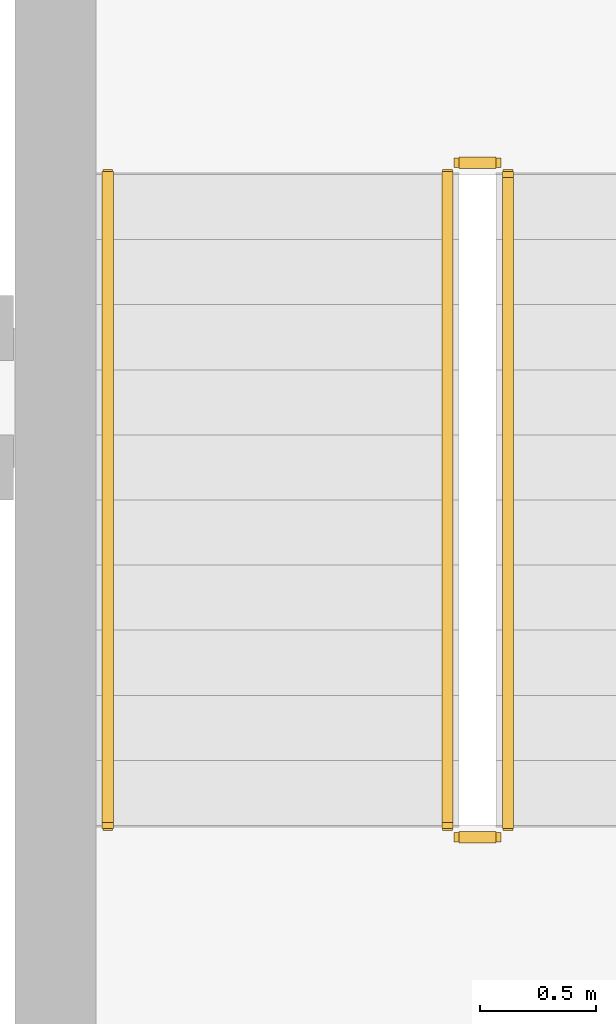
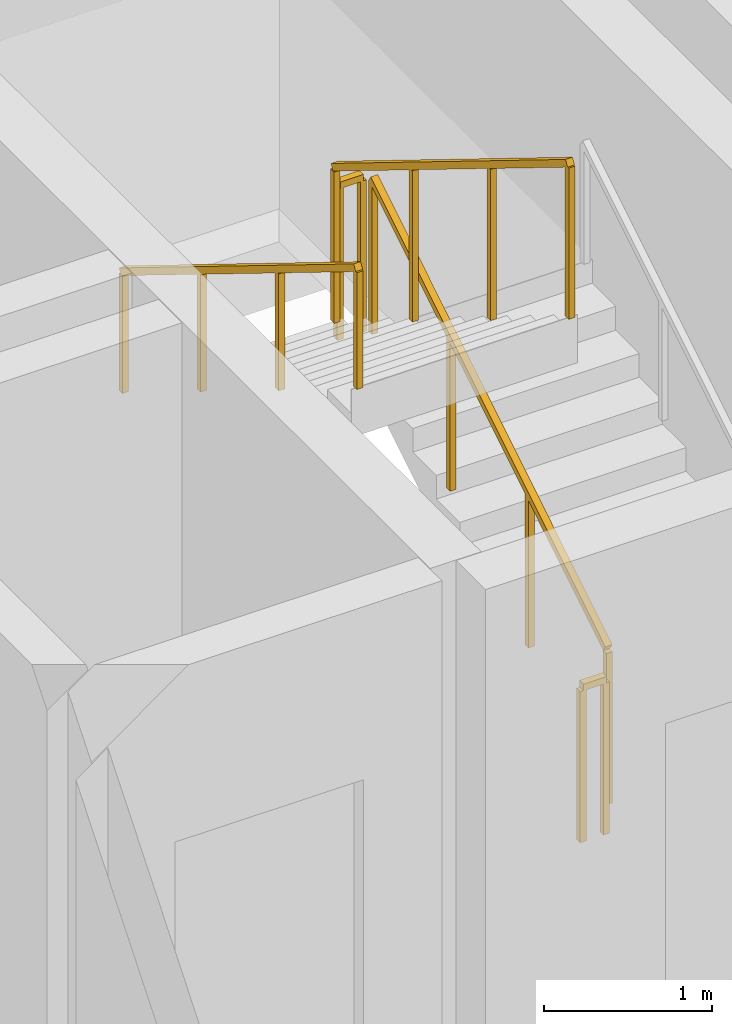
# One storey, part 13 of 14: 5 railings.
"""IFC4 building model written with IfcOpenShell, lengths in metres."""

from ifc_helpers import new_model, si_unit, direction, frame, origin, origin_2d, place, context, subcontext, project, spatial, rectangle, extrude, material, type_object, element, save


model = new_model("IFC4")

# Units and contexts
model_context = context("Model", 3, precision=1e-05, world=origin(), true_north=direction((0.0, 1.0)))
body_context = subcontext(model_context, "Body", "Model", "MODEL_VIEW")
ifc_project = project(units=[si_unit("LENGTHUNIT", "METRE"), si_unit("AREAUNIT", "SQUARE_METRE"), si_unit("VOLUMEUNIT", "CUBIC_METRE"), si_unit("PLANEANGLEUNIT", "RADIAN"), si_unit("MASSUNIT", "GRAM", prefix="KILO")], contexts=[model_context])

# Site, building, storey
site_placement = place(None, origin())
site = spatial("IfcSite", under=ifc_project, at=site_placement, CompositionType="ELEMENT")
building_placement = place(site_placement, origin())
building = spatial("IfcBuilding", under=site, at=building_placement, Name="Kaelvorn Grand Hotel", CompositionType="ELEMENT")
storey_placement = place(building_placement, frame((0.0, 0.0, 212.949951171875)))
storey = spatial("IfcBuildingStorey", under=building, at=storey_placement, Name="L52", CompositionType="ELEMENT", Elevation=212.949951171875)

# Railings
ifc_material = material(Name="Stainless Steel", Category="steel")
railing_type_1 = type_object("IfcRailingType", Name="RL-HANDRAIL-900", PredefinedType="HANDRAIL", material=ifc_material)
railing_1_placement = place(storey_placement, frame((63.3701171875, 44.56005859375, 2.07275390625)))
element("IfcRailing", 1, at=railing_1_placement, inside=storey, type_object=railing_type_1, Name="L52 ST3 stair handrail 2", PredefinedType="HANDRAIL", context=body_context, shape_type="SweptSolid", body=[
    extrude(rectangle(XDim=0.048095703125, YDim=0.048095703125, at=origin_2d()), frame((0.0, 0.0, 0.8759765625), z_axis=(0.0, -0.851089632645, 0.525020415988), x_axis=(1.0, 0.0, 0.0)), (0.0, 0.0, 1.0), 3.2900390625),
    extrude(rectangle(XDim=0.0419921875, YDim=0.0419921875, at=origin_2d()), origin(), (0.0, 0.0, 1.0), 0.851806640625),
    extrude(rectangle(XDim=0.0419921875, YDim=0.0419921875, at=origin_2d()), frame((0.0, -0.933349609375, 0.57568359375)), (0.0, 0.0, 1.0), 0.851806640625),
    extrude(rectangle(XDim=0.0419921875, YDim=0.0419921875, at=origin_2d()), frame((0.0, -1.86669921875, 1.151611328125)), (0.0, 0.0, 1.0), 0.851806640625),
    extrude(rectangle(XDim=0.0419921875, YDim=0.0419921875, at=origin_2d()), frame((0.0, -2.800048828125, 1.727294921875)), (0.0, 0.0, 1.0), 0.851806640625),
])
railing_type_2 = type_object("IfcRailingType", Name="RL-STAIR-GUARD-1150", PredefinedType="BALUSTRADE", material=ifc_material)
railing_2_placement = place(storey_placement, frame((65.090087890625, 41.760009765625, 0.1728515625)))
element("IfcRailing", 2, at=railing_2_placement, inside=storey, type_object=railing_type_2, Name="L52 ST3 stair guard 1", PredefinedType="BALUSTRADE", context=body_context, shape_type="SweptSolid", body=[
    extrude(rectangle(XDim=0.048095703125, YDim=0.048095703125, at=origin_2d()), frame((0.0, 0.0, 1.1259765625), z_axis=(0.0, 0.851089632645, 0.525020415988), x_axis=(-1.0, 0.0, 0.0)), (0.0, 0.0, 1.0), 3.2900390625),
    extrude(rectangle(XDim=0.0419921875, YDim=0.0419921875, at=origin_2d()), origin(), (0.0, 0.0, 1.0), 1.101806640625),
    extrude(rectangle(XDim=0.0419921875, YDim=0.0419921875, at=origin_2d()), frame((0.0, 0.933349609375, 0.57568359375)), (0.0, 0.0, 1.0), 1.101806640625),
    extrude(rectangle(XDim=0.0419921875, YDim=0.0419921875, at=origin_2d()), frame((0.0, 1.86669921875, 1.151611328125)), (0.0, 0.0, 1.0), 1.101806640625),
    extrude(rectangle(XDim=0.0419921875, YDim=0.0419921875, at=origin_2d()), frame((0.0, 2.800048828125, 1.727294921875)), (0.0, 0.0, 1.0), 1.101806640625),
])
railing_3_placement = place(storey_placement, frame((65.0400390625, 44.610107421875, 1.900146484375)))
element("IfcRailing", 3, at=railing_3_placement, inside=storey, type_object=railing_type_2, Name="L52 ST3 stair guard 2", PredefinedType="BALUSTRADE", context=body_context, shape_type="SweptSolid", body=[
    extrude(rectangle(XDim=0.048095703125, YDim=0.048095703125, at=origin_2d()), frame((0.0, 0.0, 1.1259765625), z_axis=(-1.0, 0.0, 0.0), x_axis=(0.0, -1.0, 0.0)), (0.0, 0.0, 1.0), 0.16015625),
    extrude(rectangle(XDim=0.0419921875, YDim=0.0419921875, at=origin_2d()), origin(), (0.0, 0.0, 1.0), 1.101806640625),
    extrude(rectangle(XDim=0.0419921875, YDim=0.0419921875, at=origin_2d()), frame((-0.16015625, 0.0, 0.0)), (0.0, 0.0, 1.0), 1.101806640625),
])
railing_4_placement = place(storey_placement, frame((64.830078125, 44.56005859375, 2.07275390625)))
element("IfcRailing", 4, at=railing_4_placement, inside=storey, type_object=railing_type_2, Name="L52 ST3 stair guard 3", PredefinedType="BALUSTRADE", context=body_context, shape_type="SweptSolid", body=[
    extrude(rectangle(XDim=0.048095703125, YDim=0.048095703125, at=origin_2d()), frame((0.0, 0.0, 1.1259765625), z_axis=(0.0, -0.851089632645, 0.525020415988), x_axis=(1.0, 0.0, 0.0)), (0.0, 0.0, 1.0), 3.2900390625),
    extrude(rectangle(XDim=0.0419921875, YDim=0.0419921875, at=origin_2d()), origin(), (0.0, 0.0, 1.0), 1.101806640625),
    extrude(rectangle(XDim=0.0419921875, YDim=0.0419921875, at=origin_2d()), frame((0.0, -0.933349609375, 0.57568359375)), (0.0, 0.0, 1.0), 1.101806640625),
    extrude(rectangle(XDim=0.0419921875, YDim=0.0419921875, at=origin_2d()), frame((0.0, -1.86669921875, 1.151611328125)), (0.0, 0.0, 1.0), 1.101806640625),
    extrude(rectangle(XDim=0.0419921875, YDim=0.0419921875, at=origin_2d()), frame((0.0, -2.800048828125, 1.727294921875)), (0.0, 0.0, 1.0), 1.101806640625),
])
railing_5_placement = place(storey_placement, frame((65.0400390625, 41.7099609375, 0.0)))
element("IfcRailing", 5, at=railing_5_placement, inside=storey, type_object=railing_type_2, Name="L52 ST3 stair guard 4", PredefinedType="BALUSTRADE", context=body_context, shape_type="SweptSolid", body=[
    extrude(rectangle(XDim=0.048095703125, YDim=0.048095703125, at=origin_2d()), frame((0.0, 0.0, 1.1259765625), z_axis=(-1.0, 0.0, 0.0), x_axis=(0.0, -1.0, 0.0)), (0.0, 0.0, 1.0), 0.16015625),
    extrude(rectangle(XDim=0.0419921875, YDim=0.0419921875, at=origin_2d()), origin(), (0.0, 0.0, 1.0), 1.101806640625),
    extrude(rectangle(XDim=0.0419921875, YDim=0.0419921875, at=origin_2d()), frame((-0.16015625, 0.0, 0.0)), (0.0, 0.0, 1.0), 1.101806640625),
])

save(model, "model.ifc")
